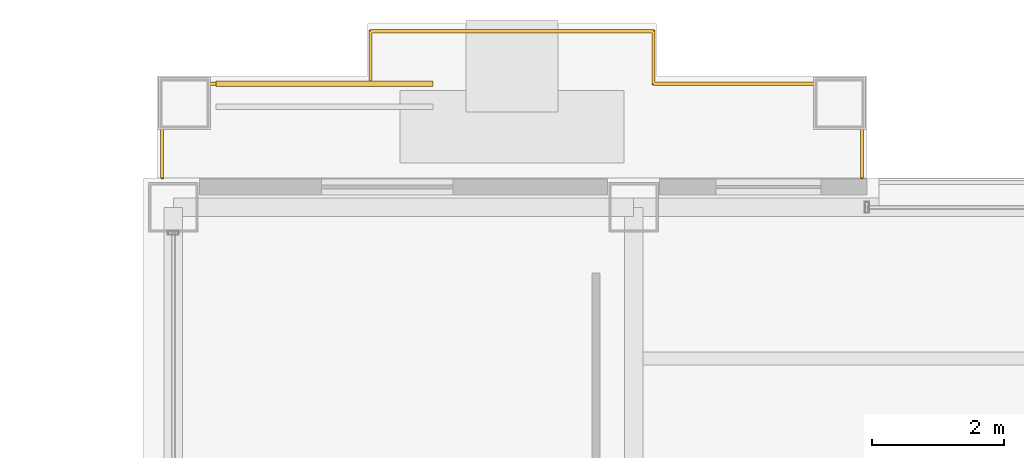
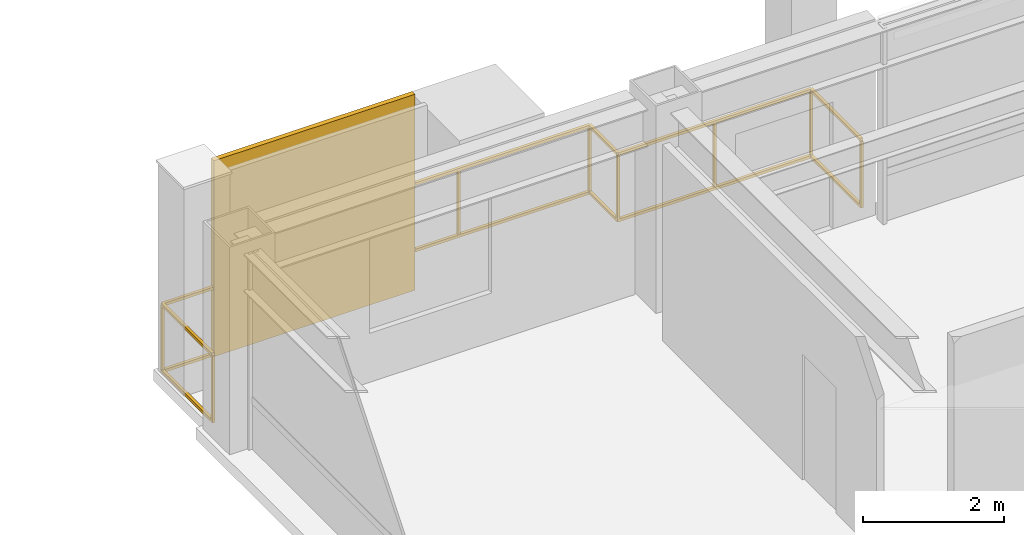
# One storey, part 29 of 30: 1 railing, 1 shading device.
"""IFC4 building model written with IfcOpenShell, lengths in metres."""

from ifc_helpers import new_model, si_unit, direction, frame, origin, origin_2d, place, context, subcontext, project, spatial, rectangle, extrude, material, layer, layer_set, type_object, element, save


model = new_model("IFC4")

# Units and contexts
model_context = context("Model", 3, precision=1e-05, world=origin(), true_north=direction((0.0, 1.0)))
body_context = subcontext(model_context, "Body", "Model", "MODEL_VIEW")
ifc_project = project(units=[si_unit("LENGTHUNIT", "METRE"), si_unit("AREAUNIT", "SQUARE_METRE"), si_unit("VOLUMEUNIT", "CUBIC_METRE"), si_unit("PLANEANGLEUNIT", "RADIAN"), si_unit("MASSUNIT", "GRAM", prefix="KILO")], contexts=[model_context])

# Site, building, storey
site_placement = place(None, origin())
site = spatial("IfcSite", under=ifc_project, at=site_placement, CompositionType="ELEMENT")
building_placement = place(site_placement, origin())
building = spatial("IfcBuilding", under=site, at=building_placement, Name="Brelmoor Portico Tower", CompositionType="ELEMENT")
storey_placement = place(building_placement, frame((0.0, 0.0, 169.5)))
storey = spatial("IfcBuildingStorey", under=building, at=storey_placement, Name="L44", CompositionType="ELEMENT", Elevation=169.5)

# Railing
ifc_material_1 = material(Name="Perforated Pale Champagne Aluminium Fretwork Guard", Category="aluminium")
railing_type = type_object("IfcRailingType", Name="RL-BALUSTRADE-1200", PredefinedType="BALUSTRADE", material=ifc_material_1)
railing_placement = place(storey_placement, frame((-15.219970703125, 19.0, 0.0)))
element("IfcRailing", 1, at=railing_placement, inside=storey, type_object=railing_type, Name="L44 Tree Balcony Fretwork Balustrade N", PredefinedType="BALUSTRADE", context=body_context, shape_type="SweptSolid", body=[
    extrude(rectangle(XDim=0.048095703125, YDim=0.048095703125, at=origin_2d()), frame((0.0, 0.0, 1.17578125), z_axis=(0.0, 1.0, 0.0), x_axis=(-1.0, 0.0, 0.0)), (0.0, 0.0, 1.0), 1.429931640625),
    extrude(rectangle(XDim=0.048095703125, YDim=0.048095703125, at=origin_2d()), frame((0.0, 0.0, 0.02392578125), z_axis=(0.0, 1.0, 0.0), x_axis=(-1.0, 0.0, 0.0)), (0.0, 0.0, 1.0), 1.429931640625),
    extrude(rectangle(XDim=0.048095703125, YDim=0.048095703125, at=origin_2d()), frame((0.0, 1.429931640625, 1.17578125), z_axis=(1.0, 0.0, 0.0), x_axis=(0.0, 1.0, 0.0)), (0.0, 0.0, 1.0), 3.169921875),
    extrude(rectangle(XDim=0.048095703125, YDim=0.048095703125, at=origin_2d()), frame((0.0, 1.429931640625, 0.02392578125), z_axis=(1.0, 0.0, 0.0), x_axis=(0.0, 1.0, 0.0)), (0.0, 0.0, 1.0), 3.169921875),
    extrude(rectangle(XDim=0.048095703125, YDim=0.048095703125, at=origin_2d()), frame((3.169921875, 1.429931640625, 1.17578125), z_axis=(0.0, 1.0, 0.0), x_axis=(-1.0, 0.0, 0.0)), (0.0, 0.0, 1.0), 0.800048828125),
    extrude(rectangle(XDim=0.048095703125, YDim=0.048095703125, at=origin_2d()), frame((3.169921875, 1.429931640625, 0.02392578125), z_axis=(0.0, 1.0, 0.0), x_axis=(-1.0, 0.0, 0.0)), (0.0, 0.0, 1.0), 0.800048828125),
    extrude(rectangle(XDim=0.048095703125, YDim=0.048095703125, at=origin_2d()), frame((3.169921875, 2.22998046875, 1.17578125), z_axis=(1.0, 0.0, 0.0), x_axis=(0.0, 1.0, 0.0)), (0.0, 0.0, 1.0), 4.300048828125),
    extrude(rectangle(XDim=0.048095703125, YDim=0.048095703125, at=origin_2d()), frame((3.169921875, 2.22998046875, 0.02392578125), z_axis=(1.0, 0.0, 0.0), x_axis=(0.0, 1.0, 0.0)), (0.0, 0.0, 1.0), 4.300048828125),
    extrude(rectangle(XDim=0.048095703125, YDim=0.048095703125, at=origin_2d()), frame((7.469970703125, 2.22998046875, 1.17578125), z_axis=(0.0, -1.0, 0.0), x_axis=(1.0, 0.0, 0.0)), (0.0, 0.0, 1.0), 0.800048828125),
    extrude(rectangle(XDim=0.048095703125, YDim=0.048095703125, at=origin_2d()), frame((7.469970703125, 2.22998046875, 0.02392578125), z_axis=(0.0, -1.0, 0.0), x_axis=(1.0, 0.0, 0.0)), (0.0, 0.0, 1.0), 0.800048828125),
    extrude(rectangle(XDim=0.048095703125, YDim=0.048095703125, at=origin_2d()), frame((7.469970703125, 1.429931640625, 1.17578125), z_axis=(1.0, 0.0, 0.0), x_axis=(0.0, 1.0, 0.0)), (0.0, 0.0, 1.0), 3.169921875),
    extrude(rectangle(XDim=0.048095703125, YDim=0.048095703125, at=origin_2d()), frame((7.469970703125, 1.429931640625, 0.02392578125), z_axis=(1.0, 0.0, 0.0), x_axis=(0.0, 1.0, 0.0)), (0.0, 0.0, 1.0), 3.169921875),
    extrude(rectangle(XDim=0.048095703125, YDim=0.048095703125, at=origin_2d()), frame((10.639892578125, 1.429931640625, 1.17578125), z_axis=(0.0, -1.0, 0.0), x_axis=(1.0, 0.0, 0.0)), (0.0, 0.0, 1.0), 1.429931640625),
    extrude(rectangle(XDim=0.048095703125, YDim=0.048095703125, at=origin_2d()), frame((10.639892578125, 1.429931640625, 0.02392578125), z_axis=(0.0, -1.0, 0.0), x_axis=(1.0, 0.0, 0.0)), (0.0, 0.0, 1.0), 1.429931640625),
    extrude(rectangle(XDim=0.0419921875, YDim=0.0419921875, at=origin_2d()), origin(), (0.0, 0.0, 1.0), 1.15185546875),
    extrude(rectangle(XDim=0.0419921875, YDim=0.0419921875, at=origin_2d()), frame((0.0, 1.429931640625, 0.0)), (0.0, 0.0, 1.0), 1.15185546875),
    extrude(rectangle(XDim=0.0419921875, YDim=0.0419921875, at=origin_2d()), frame((1.5849609375, 1.429931640625, 0.0)), (0.0, 0.0, 1.0), 1.15185546875),
    extrude(rectangle(XDim=0.0419921875, YDim=0.0419921875, at=origin_2d()), frame((3.169921875, 1.429931640625, 0.0)), (0.0, 0.0, 1.0), 1.15185546875),
    extrude(rectangle(XDim=0.0419921875, YDim=0.0419921875, at=origin_2d()), frame((3.169921875, 2.22998046875, 0.0)), (0.0, 0.0, 1.0), 1.15185546875),
    extrude(rectangle(XDim=0.0419921875, YDim=0.0419921875, at=origin_2d()), frame((5.31982421875, 2.22998046875, 0.0)), (0.0, 0.0, 1.0), 1.15185546875),
    extrude(rectangle(XDim=0.0419921875, YDim=0.0419921875, at=origin_2d()), frame((7.469970703125, 2.22998046875, 0.0)), (0.0, 0.0, 1.0), 1.15185546875),
    extrude(rectangle(XDim=0.0419921875, YDim=0.0419921875, at=origin_2d()), frame((7.469970703125, 1.429931640625, 0.0)), (0.0, 0.0, 1.0), 1.15185546875),
    extrude(rectangle(XDim=0.0419921875, YDim=0.0419921875, at=origin_2d()), frame((9.054931640625, 1.429931640625, 0.0)), (0.0, 0.0, 1.0), 1.15185546875),
    extrude(rectangle(XDim=0.0419921875, YDim=0.0419921875, at=origin_2d()), frame((10.639892578125, 1.429931640625, 0.0)), (0.0, 0.0, 1.0), 1.15185546875),
    extrude(rectangle(XDim=0.0419921875, YDim=0.0419921875, at=origin_2d()), frame((10.639892578125, 0.0, 0.0)), (0.0, 0.0, 1.0), 1.15185546875),
])

# Shading device
ifc_material_2 = material(Name="Powder-Coated Aluminium Shuttered Jalousie", Category="aluminium")
ifc_layer = layer(ifc_material_2, 0.080078125)
ifc_layer_set = layer_set([ifc_layer], Name="Powder-Coated Aluminium Shuttered Jalousie")
shading_device_type = type_object("IfcShadingDeviceType", Name="SD-JALOUSIE-LOGGIA", PredefinedType="JALOUSIE", material=ifc_layer_set)
shading_device_placement = place(storey_placement, frame((-12.75, 20.429931640625, 0.0), z_axis=(0.0, 0.0, 1.0), x_axis=(1.0, 0.0, 0.0)))
element("IfcShadingDevice", 2, at=shading_device_placement, inside=storey, type_object=shading_device_type, Name="L44 Loggia Shuttered Jalousie N", PredefinedType="JALOUSIE", context=body_context, shape_type="SweptSolid", body=[
    extrude(rectangle(XDim=3.300048828125, YDim=0.080078125, at=origin_2d()), origin(), (0.0, 0.0, 1.0), 3.39990234375),
])

save(model, "model.ifc")
